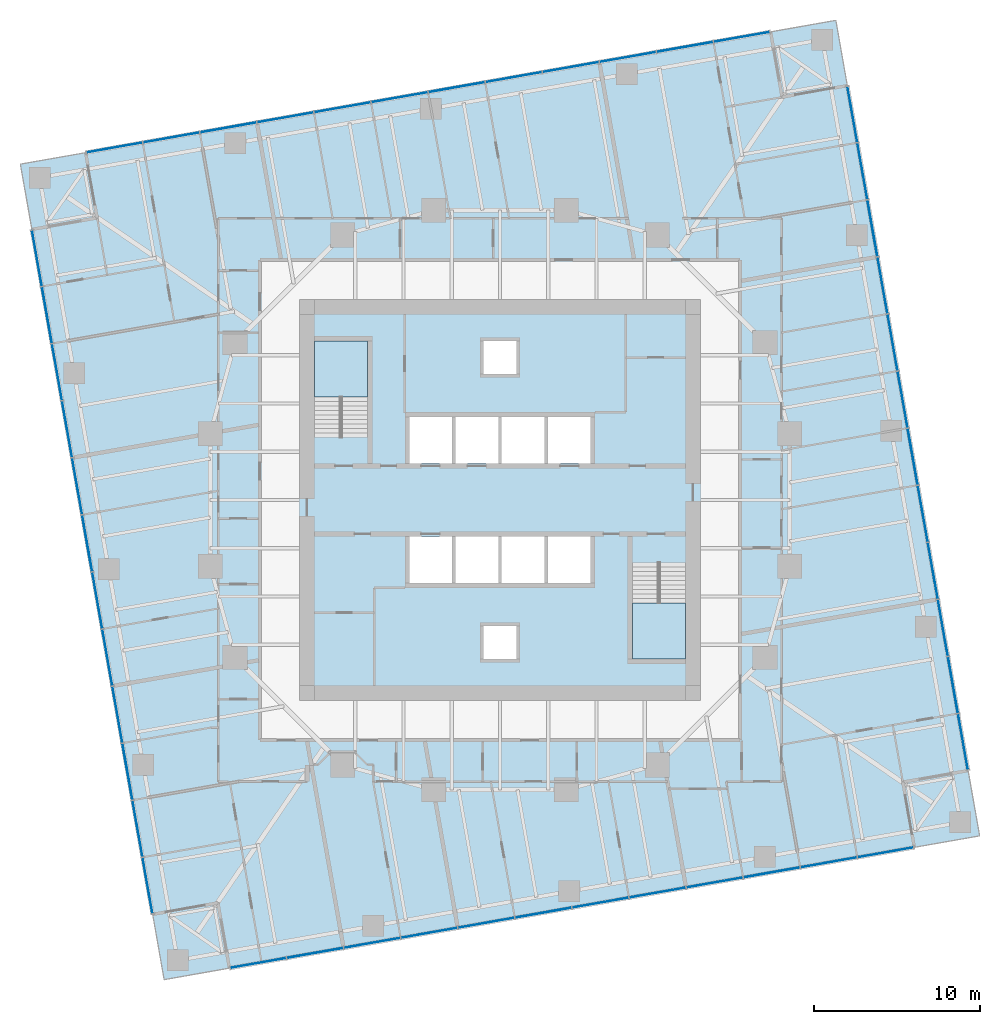
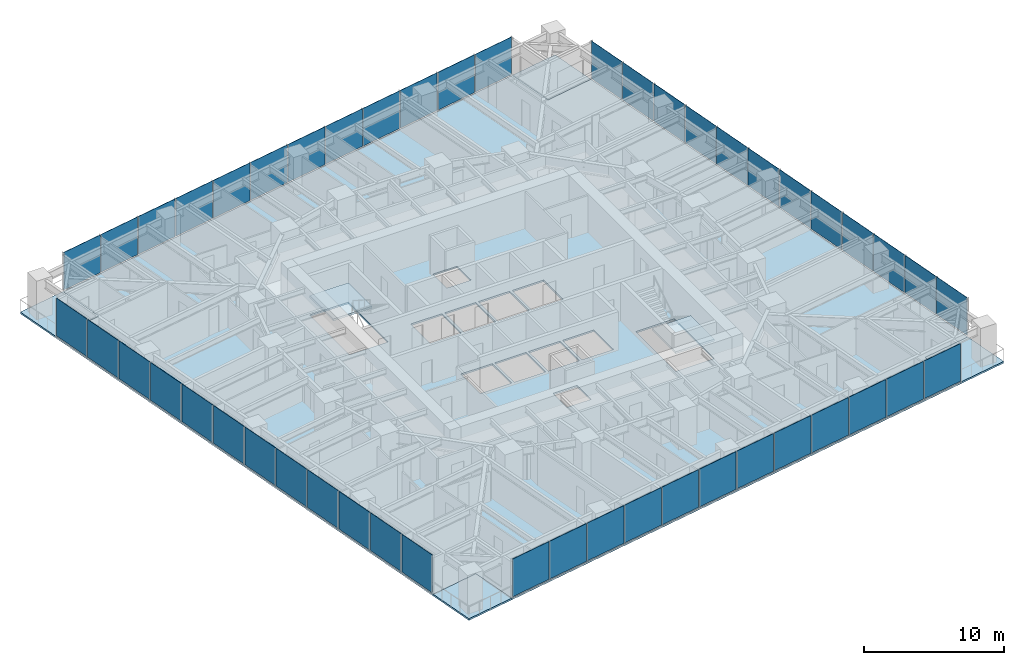
# One storey, part 7 of 14: 48 plates, 7 slabs, 6 elements without a shape of their own.
"""IFC4 building model written with IfcOpenShell, lengths in metres."""

from ifc_helpers import new_model, si_unit, direction, frame, origin, origin_2d, place, context, subcontext, project, spatial, polyline, rectangle, outline, extrude, material, layer, layer_set, type_object, element, aggregate, save


model = new_model("IFC4")

# Units and contexts
model_context = context("Model", 3, precision=1e-05, world=origin(), true_north=direction((0.0, 1.0)))
body_context = subcontext(model_context, "Body", "Model", "MODEL_VIEW")
ifc_project = project(units=[si_unit("LENGTHUNIT", "METRE"), si_unit("AREAUNIT", "SQUARE_METRE"), si_unit("VOLUMEUNIT", "CUBIC_METRE"), si_unit("PLANEANGLEUNIT", "RADIAN"), si_unit("MASSUNIT", "GRAM", prefix="KILO")], contexts=[model_context])

# Site, building, storey
site_placement = place(None, origin())
site = spatial("IfcSite", under=ifc_project, at=site_placement, CompositionType="ELEMENT")
building_placement = place(site_placement, origin())
building = spatial("IfcBuilding", under=site, at=building_placement, Name="Torsade Residences", CompositionType="ELEMENT")
storey_placement = place(building_placement, frame((0.0, 0.0, 86.199951171875)))
storey = spatial("IfcBuildingStorey", under=building, at=storey_placement, Name="L23", CompositionType="ELEMENT", Elevation=86.199951171875)

# Slab
ifc_material_1 = material(Name="Concrete 40 MPa", Category="concrete")
ifc_layer_1 = layer(ifc_material_1, 0.14990234375)
ifc_layer_set_1 = layer_set([ifc_layer_1], Name="Concrete 40 MPa")
slab_type_1 = type_object("IfcSlabType", Name="COMPOSITE FLOOR SLAB 150", PredefinedType="FLOOR", material=ifc_layer_set_1)
slab_1_placement = place(storey_placement, frame((0.0, 0.0, -0.14990234375)))
element("IfcSlab", 1, at=slab_1_placement, inside=storey, type_object=slab_type_1, Name="Floor slab L23", PredefinedType="FLOOR", context=body_context, shape_type="SweptSolid", body=[
    extrude(outline(polyline([(23.66015625, 1.733154296875), (65.022216796875, 9.0263671875), (64.32763671875, 12.965576171875), (68.266845703125, 13.66015625), (60.9736328125, 55.022216796875), (57.034423828125, 54.32763671875), (56.33984375, 58.266845703125), (14.977783203125, 50.9736328125), (15.67236328125, 47.034423828125), (11.733154296875, 46.33984375), (19.0263671875, 4.977783203125), (22.965576171875, 5.67236328125), (23.66015625, 1.733154296875)]), holes=[polyline([(51.199951171875, 20.39990234375), (51.199951171875, 26.1201171875), (48.0, 26.1201171875), (48.0, 20.39990234375), (51.199951171875, 20.39990234375)]), polyline([(45.5, 27.800048828125), (42.89990234375, 27.800048828125), (42.89990234375, 25.0), (45.5, 25.0), (45.5, 27.800048828125)]), polyline([(45.5, 32.199951171875), (45.5, 35.0), (42.89990234375, 35.0), (42.89990234375, 32.199951171875), (45.5, 32.199951171875)]), polyline([(42.699951171875, 25.0), (42.699951171875, 27.800048828125), (40.10009765625, 27.800048828125), (40.10009765625, 25.0), (42.699951171875, 25.0)]), polyline([(42.699951171875, 32.199951171875), (42.699951171875, 35.0), (40.10009765625, 35.0), (40.10009765625, 32.199951171875), (42.699951171875, 32.199951171875)]), polyline([(41.0, 22.39990234375), (39.0, 22.39990234375), (39.0, 20.39990234375), (41.0, 20.39990234375), (41.0, 22.39990234375)]), polyline([(41.0, 37.60009765625), (41.0, 39.60009765625), (39.0, 39.60009765625), (39.0, 37.60009765625), (41.0, 37.60009765625)]), polyline([(39.89990234375, 25.0), (39.89990234375, 27.800048828125), (37.300048828125, 27.800048828125), (37.300048828125, 25.0), (39.89990234375, 25.0)]), polyline([(39.89990234375, 35.0), (37.300048828125, 35.0), (37.300048828125, 32.199951171875), (39.89990234375, 32.199951171875), (39.89990234375, 35.0)]), polyline([(37.10009765625, 27.800048828125), (34.5, 27.800048828125), (34.5, 25.0), (37.10009765625, 25.0), (37.10009765625, 27.800048828125)]), polyline([(37.10009765625, 32.199951171875), (37.10009765625, 35.0), (34.5, 35.0), (34.5, 32.199951171875), (37.10009765625, 32.199951171875)]), polyline([(32.0, 33.8798828125), (32.0, 39.60009765625), (28.800048828125, 39.60009765625), (28.800048828125, 33.8798828125), (32.0, 33.8798828125)])]), origin(), (0.0, 0.0, 1.0), 0.14990234375),
])

# Curtain wall, plates
ifc_material_2 = material(Name="Aluminium and glass", Category="aluminium")
curtain_wall_type = type_object("IfcCurtainWallType", Name="FRITTED GLASS CURTAIN WALL LOW ZONE", PredefinedType="NOTDEFINED", material=ifc_material_2)
curtain_wall_1_placement = place(storey_placement, origin())
curtain_wall_1 = element("IfcCurtainWall", 2, at=curtain_wall_1_placement, inside=storey, type_object=curtain_wall_type, Name="Curtain wall L23 face 1", PredefinedType="NOTDEFINED")
ifc_material_3 = material(Name="Laminated glass", Category="glass")
ifc_layer_2 = layer(ifc_material_3, 0.031982421875)
ifc_layer_set_2 = layer_set([ifc_layer_2], Name="Laminated glass")
plate_type_1 = type_object("IfcPlateType", Name="FRITTED GLASS PANEL", PredefinedType="CURTAIN_PANEL", material=ifc_layer_set_2)
plate_1_placement = place(storey_placement, frame((25.399658203125, 2.039794921875, 0.10009765625), z_axis=(0.0, 0.0, 1.0), x_axis=(0.984807750372, 0.173648192638, 0.0)))
plate_1 = element("IfcPlate", 3, at=plate_1_placement, type_object=plate_type_1, Name="Panel 1", PredefinedType="CURTAIN_PANEL", context=body_context, shape_type="SweptSolid", body=[
    extrude(rectangle(XDim=3.402587890625, YDim=0.031982421875, at=origin_2d()), origin(), (0.0, 0.0, 1.0), 3.300048828125),
])
plate_2_placement = place(storey_placement, frame((32.27734375, 3.252685546875, 0.10009765625), z_axis=(0.0, 0.0, 1.0), x_axis=(0.984807750372, 0.173648192638, 0.0)))
plate_2 = element("IfcPlate", 4, at=plate_2_placement, type_object=plate_type_1, Name="Panel 3", PredefinedType="CURTAIN_PANEL", context=body_context, shape_type="SweptSolid", body=[
    extrude(rectangle(XDim=3.43505859375, YDim=0.031982421875, at=origin_2d()), origin(), (0.0, 0.0, 1.0), 3.300048828125),
])
plate_3_placement = place(storey_placement, frame((35.72412109375, 3.8603515625, 0.10009765625), z_axis=(0.0, 0.0, 1.0), x_axis=(0.984807750372, 0.173648192638, 0.0)))
plate_3 = element("IfcPlate", 5, at=plate_3_placement, type_object=plate_type_1, Name="Panel 4", PredefinedType="CURTAIN_PANEL", context=body_context, shape_type="SweptSolid", body=[
    extrude(rectangle(XDim=3.43505859375, YDim=0.031982421875, at=origin_2d()), origin(), (0.0, 0.0, 1.0), 3.300048828125),
])
plate_4_placement = place(storey_placement, frame((39.1708984375, 4.46826171875, 0.10009765625), z_axis=(0.0, 0.0, 1.0), x_axis=(0.984807750372, 0.173648192638, 0.0)))
plate_4 = element("IfcPlate", 6, at=plate_4_placement, type_object=plate_type_1, Name="Panel 5", PredefinedType="CURTAIN_PANEL", context=body_context, shape_type="SweptSolid", body=[
    extrude(rectangle(XDim=3.43505859375, YDim=0.031982421875, at=origin_2d()), origin(), (0.0, 0.0, 1.0), 3.300048828125),
])
plate_5_placement = place(storey_placement, frame((46.064697265625, 5.68359375, 0.10009765625), z_axis=(0.0, 0.0, 1.0), x_axis=(0.984807750372, 0.173648192638, 0.0)))
plate_5 = element("IfcPlate", 7, at=plate_5_placement, type_object=plate_type_1, Name="Panel 7", PredefinedType="CURTAIN_PANEL", context=body_context, shape_type="SweptSolid", body=[
    extrude(rectangle(XDim=3.43505859375, YDim=0.031982421875, at=origin_2d()), origin(), (0.0, 0.0, 1.0), 3.300048828125),
])
plate_6_placement = place(storey_placement, frame((49.511474609375, 6.29150390625, 0.10009765625), z_axis=(0.0, 0.0, 1.0), x_axis=(0.984807750372, 0.173648192638, 0.0)))
plate_6 = element("IfcPlate", 8, at=plate_6_placement, type_object=plate_type_1, Name="Panel 8", PredefinedType="CURTAIN_PANEL", context=body_context, shape_type="SweptSolid", body=[
    extrude(rectangle(XDim=3.43505859375, YDim=0.031982421875, at=origin_2d()), origin(), (0.0, 0.0, 1.0), 3.300048828125),
])
plate_7_placement = place(storey_placement, frame((52.958251953125, 6.899169921875, 0.10009765625), z_axis=(0.0, 0.0, 1.0), x_axis=(0.984807750372, 0.173648192638, 0.0)))
plate_7 = element("IfcPlate", 9, at=plate_7_placement, type_object=plate_type_1, Name="Panel 9", PredefinedType="CURTAIN_PANEL", context=body_context, shape_type="SweptSolid", body=[
    extrude(rectangle(XDim=3.43505859375, YDim=0.031982421875, at=origin_2d()), origin(), (0.0, 0.0, 1.0), 3.300048828125),
])
plate_8_placement = place(storey_placement, frame((59.851806640625, 8.11474609375, 0.10009765625), z_axis=(0.0, 0.0, 1.0), x_axis=(0.984807750372, 0.173648192638, 0.0)))
plate_8 = element("IfcPlate", 10, at=plate_8_placement, type_object=plate_type_1, Name="Panel 11", PredefinedType="CURTAIN_PANEL", context=body_context, shape_type="SweptSolid", body=[
    extrude(rectangle(XDim=3.43505859375, YDim=0.031982421875, at=origin_2d()), origin(), (0.0, 0.0, 1.0), 3.300048828125),
])
plate_9_placement = place(storey_placement, frame((63.28271484375, 8.7197265625, 0.10009765625), z_axis=(0.0, 0.0, 1.0), x_axis=(0.984807750372, 0.173648192638, 0.0)))
plate_9 = element("IfcPlate", 11, at=plate_9_placement, type_object=plate_type_1, Name="Panel 12", PredefinedType="CURTAIN_PANEL", context=body_context, shape_type="SweptSolid", body=[
    extrude(rectangle(XDim=3.402587890625, YDim=0.031982421875, at=origin_2d()), origin(), (0.0, 0.0, 1.0), 3.300048828125),
])

curtain_wall_2_placement = place(storey_placement, origin())
curtain_wall_2 = element("IfcCurtainWall", 12, at=curtain_wall_2_placement, inside=storey, type_object=curtain_wall_type, Name="Curtain wall L23 face 4", PredefinedType="NOTDEFINED")
plate_10_placement = place(storey_placement, frame((67.960205078125, 15.399658203125, 0.10009765625), z_axis=(0.0, 0.0, 1.0), x_axis=(-0.173648192638, 0.984807750372, 0.0)))
plate_10 = element("IfcPlate", 13, at=plate_10_placement, type_object=plate_type_1, Name="Panel 1", PredefinedType="CURTAIN_PANEL", context=body_context, shape_type="SweptSolid", body=[
    extrude(rectangle(XDim=3.402587890625, YDim=0.031982421875, at=origin_2d()), origin(), (0.0, 0.0, 1.0), 3.300048828125),
])
plate_11_placement = place(storey_placement, frame((66.747314453125, 22.27734375, 0.10009765625), z_axis=(0.0, 0.0, 1.0), x_axis=(-0.173648192638, 0.984807750372, 0.0)))
plate_11 = element("IfcPlate", 14, at=plate_11_placement, type_object=plate_type_1, Name="Panel 3", PredefinedType="CURTAIN_PANEL", context=body_context, shape_type="SweptSolid", body=[
    extrude(rectangle(XDim=3.43505859375, YDim=0.031982421875, at=origin_2d()), origin(), (0.0, 0.0, 1.0), 3.300048828125),
])
plate_12_placement = place(storey_placement, frame((66.1396484375, 25.72412109375, 0.10009765625), z_axis=(0.0, 0.0, 1.0), x_axis=(-0.173648192638, 0.984807750372, 0.0)))
plate_12 = element("IfcPlate", 15, at=plate_12_placement, type_object=plate_type_1, Name="Panel 4", PredefinedType="CURTAIN_PANEL", context=body_context, shape_type="SweptSolid", body=[
    extrude(rectangle(XDim=3.43505859375, YDim=0.031982421875, at=origin_2d()), origin(), (0.0, 0.0, 1.0), 3.300048828125),
])
plate_13_placement = place(storey_placement, frame((65.53173828125, 29.1708984375, 0.10009765625), z_axis=(0.0, 0.0, 1.0), x_axis=(-0.173648192638, 0.984807750372, 0.0)))
plate_13 = element("IfcPlate", 16, at=plate_13_placement, type_object=plate_type_1, Name="Panel 5", PredefinedType="CURTAIN_PANEL", context=body_context, shape_type="SweptSolid", body=[
    extrude(rectangle(XDim=3.43505859375, YDim=0.031982421875, at=origin_2d()), origin(), (0.0, 0.0, 1.0), 3.300048828125),
])
plate_14_placement = place(storey_placement, frame((64.31640625, 36.064697265625, 0.10009765625), z_axis=(0.0, 0.0, 1.0), x_axis=(-0.173648192638, 0.984807750372, 0.0)))
plate_14 = element("IfcPlate", 17, at=plate_14_placement, type_object=plate_type_1, Name="Panel 7", PredefinedType="CURTAIN_PANEL", context=body_context, shape_type="SweptSolid", body=[
    extrude(rectangle(XDim=3.43505859375, YDim=0.031982421875, at=origin_2d()), origin(), (0.0, 0.0, 1.0), 3.300048828125),
])
plate_15_placement = place(storey_placement, frame((63.70849609375, 39.511474609375, 0.10009765625), z_axis=(0.0, 0.0, 1.0), x_axis=(-0.173648192638, 0.984807750372, 0.0)))
plate_15 = element("IfcPlate", 18, at=plate_15_placement, type_object=plate_type_1, Name="Panel 8", PredefinedType="CURTAIN_PANEL", context=body_context, shape_type="SweptSolid", body=[
    extrude(rectangle(XDim=3.43505859375, YDim=0.031982421875, at=origin_2d()), origin(), (0.0, 0.0, 1.0), 3.300048828125),
])
plate_16_placement = place(storey_placement, frame((63.100830078125, 42.958251953125, 0.10009765625), z_axis=(0.0, 0.0, 1.0), x_axis=(-0.173648192638, 0.984807750372, 0.0)))
plate_16 = element("IfcPlate", 19, at=plate_16_placement, type_object=plate_type_1, Name="Panel 9", PredefinedType="CURTAIN_PANEL", context=body_context, shape_type="SweptSolid", body=[
    extrude(rectangle(XDim=3.43505859375, YDim=0.031982421875, at=origin_2d()), origin(), (0.0, 0.0, 1.0), 3.300048828125),
])
plate_17_placement = place(storey_placement, frame((61.88525390625, 49.851806640625, 0.10009765625), z_axis=(0.0, 0.0, 1.0), x_axis=(-0.173648192638, 0.984807750372, 0.0)))
plate_17 = element("IfcPlate", 20, at=plate_17_placement, type_object=plate_type_1, Name="Panel 11", PredefinedType="CURTAIN_PANEL", context=body_context, shape_type="SweptSolid", body=[
    extrude(rectangle(XDim=3.43505859375, YDim=0.031982421875, at=origin_2d()), origin(), (0.0, 0.0, 1.0), 3.300048828125),
])
plate_18_placement = place(storey_placement, frame((61.2802734375, 53.28271484375, 0.10009765625), z_axis=(0.0, 0.0, 1.0), x_axis=(-0.173648192638, 0.984807750372, 0.0)))
plate_18 = element("IfcPlate", 21, at=plate_18_placement, type_object=plate_type_1, Name="Panel 12", PredefinedType="CURTAIN_PANEL", context=body_context, shape_type="SweptSolid", body=[
    extrude(rectangle(XDim=3.402587890625, YDim=0.031982421875, at=origin_2d()), origin(), (0.0, 0.0, 1.0), 3.300048828125),
])

curtain_wall_3_placement = place(storey_placement, origin())
curtain_wall_3 = element("IfcCurtainWall", 22, at=curtain_wall_3_placement, inside=storey, type_object=curtain_wall_type, Name="Curtain wall L23 face 7", PredefinedType="NOTDEFINED")
plate_19_placement = place(storey_placement, frame((54.600341796875, 57.960205078125, 0.10009765625), z_axis=(0.0, 0.0, 1.0), x_axis=(-0.984807750372, -0.173648192638, 0.0)))
plate_19 = element("IfcPlate", 23, at=plate_19_placement, type_object=plate_type_1, Name="Panel 1", PredefinedType="CURTAIN_PANEL", context=body_context, shape_type="SweptSolid", body=[
    extrude(rectangle(XDim=3.402587890625, YDim=0.031982421875, at=origin_2d()), origin(), (0.0, 0.0, 1.0), 3.300048828125),
])
plate_20_placement = place(storey_placement, frame((47.72265625, 56.747314453125, 0.10009765625), z_axis=(0.0, 0.0, 1.0), x_axis=(-0.984807750372, -0.173648192638, 0.0)))
plate_20 = element("IfcPlate", 24, at=plate_20_placement, type_object=plate_type_1, Name="Panel 3", PredefinedType="CURTAIN_PANEL", context=body_context, shape_type="SweptSolid", body=[
    extrude(rectangle(XDim=3.43505859375, YDim=0.031982421875, at=origin_2d()), origin(), (0.0, 0.0, 1.0), 3.300048828125),
])
plate_21_placement = place(storey_placement, frame((44.27587890625, 56.1396484375, 0.10009765625), z_axis=(0.0, 0.0, 1.0), x_axis=(-0.984807750372, -0.173648192638, 0.0)))
plate_21 = element("IfcPlate", 25, at=plate_21_placement, type_object=plate_type_1, Name="Panel 4", PredefinedType="CURTAIN_PANEL", context=body_context, shape_type="SweptSolid", body=[
    extrude(rectangle(XDim=3.43505859375, YDim=0.031982421875, at=origin_2d()), origin(), (0.0, 0.0, 1.0), 3.300048828125),
])
plate_22_placement = place(storey_placement, frame((40.8291015625, 55.53173828125, 0.10009765625), z_axis=(0.0, 0.0, 1.0), x_axis=(-0.984807750372, -0.173648192638, 0.0)))
plate_22 = element("IfcPlate", 26, at=plate_22_placement, type_object=plate_type_1, Name="Panel 5", PredefinedType="CURTAIN_PANEL", context=body_context, shape_type="SweptSolid", body=[
    extrude(rectangle(XDim=3.43505859375, YDim=0.031982421875, at=origin_2d()), origin(), (0.0, 0.0, 1.0), 3.300048828125),
])
plate_23_placement = place(storey_placement, frame((33.935302734375, 54.31640625, 0.10009765625), z_axis=(0.0, 0.0, 1.0), x_axis=(-0.984807750372, -0.173648192638, 0.0)))
plate_23 = element("IfcPlate", 27, at=plate_23_placement, type_object=plate_type_1, Name="Panel 7", PredefinedType="CURTAIN_PANEL", context=body_context, shape_type="SweptSolid", body=[
    extrude(rectangle(XDim=3.43505859375, YDim=0.031982421875, at=origin_2d()), origin(), (0.0, 0.0, 1.0), 3.300048828125),
])
plate_24_placement = place(storey_placement, frame((30.488525390625, 53.70849609375, 0.10009765625), z_axis=(0.0, 0.0, 1.0), x_axis=(-0.984807750372, -0.173648192638, 0.0)))
plate_24 = element("IfcPlate", 28, at=plate_24_placement, type_object=plate_type_1, Name="Panel 8", PredefinedType="CURTAIN_PANEL", context=body_context, shape_type="SweptSolid", body=[
    extrude(rectangle(XDim=3.43505859375, YDim=0.031982421875, at=origin_2d()), origin(), (0.0, 0.0, 1.0), 3.300048828125),
])
plate_25_placement = place(storey_placement, frame((27.041748046875, 53.100830078125, 0.10009765625), z_axis=(0.0, 0.0, 1.0), x_axis=(-0.984807750372, -0.173648192638, 0.0)))
plate_25 = element("IfcPlate", 29, at=plate_25_placement, type_object=plate_type_1, Name="Panel 9", PredefinedType="CURTAIN_PANEL", context=body_context, shape_type="SweptSolid", body=[
    extrude(rectangle(XDim=3.43505859375, YDim=0.031982421875, at=origin_2d()), origin(), (0.0, 0.0, 1.0), 3.300048828125),
])
plate_26_placement = place(storey_placement, frame((20.148193359375, 51.88525390625, 0.10009765625), z_axis=(0.0, 0.0, 1.0), x_axis=(-0.984807750372, -0.173648192638, 0.0)))
plate_26 = element("IfcPlate", 30, at=plate_26_placement, type_object=plate_type_1, Name="Panel 11", PredefinedType="CURTAIN_PANEL", context=body_context, shape_type="SweptSolid", body=[
    extrude(rectangle(XDim=3.43505859375, YDim=0.031982421875, at=origin_2d()), origin(), (0.0, 0.0, 1.0), 3.300048828125),
])
plate_27_placement = place(storey_placement, frame((16.71728515625, 51.2802734375, 0.10009765625), z_axis=(0.0, 0.0, 1.0), x_axis=(-0.984807750372, -0.173648192638, 0.0)))
plate_27 = element("IfcPlate", 31, at=plate_27_placement, type_object=plate_type_1, Name="Panel 12", PredefinedType="CURTAIN_PANEL", context=body_context, shape_type="SweptSolid", body=[
    extrude(rectangle(XDim=3.402587890625, YDim=0.031982421875, at=origin_2d()), origin(), (0.0, 0.0, 1.0), 3.300048828125),
])

curtain_wall_4_placement = place(storey_placement, origin())
curtain_wall_4 = element("IfcCurtainWall", 32, at=curtain_wall_4_placement, inside=storey, type_object=curtain_wall_type, Name="Curtain wall L23 face 10", PredefinedType="NOTDEFINED")
plate_28_placement = place(storey_placement, frame((12.039794921875, 44.600341796875, 0.10009765625), z_axis=(0.0, 0.0, 1.0), x_axis=(0.173648192638, -0.984807750372, 0.0)))
plate_28 = element("IfcPlate", 33, at=plate_28_placement, type_object=plate_type_1, Name="Panel 1", PredefinedType="CURTAIN_PANEL", context=body_context, shape_type="SweptSolid", body=[
    extrude(rectangle(XDim=3.402587890625, YDim=0.031982421875, at=origin_2d()), origin(), (0.0, 0.0, 1.0), 3.300048828125),
])
plate_29_placement = place(storey_placement, frame((13.252685546875, 37.72265625, 0.10009765625), z_axis=(0.0, 0.0, 1.0), x_axis=(0.173648192638, -0.984807750372, 0.0)))
plate_29 = element("IfcPlate", 34, at=plate_29_placement, type_object=plate_type_1, Name="Panel 3", PredefinedType="CURTAIN_PANEL", context=body_context, shape_type="SweptSolid", body=[
    extrude(rectangle(XDim=3.43505859375, YDim=0.031982421875, at=origin_2d()), origin(), (0.0, 0.0, 1.0), 3.300048828125),
])
plate_30_placement = place(storey_placement, frame((13.8603515625, 34.27587890625, 0.10009765625), z_axis=(0.0, 0.0, 1.0), x_axis=(0.173648192638, -0.984807750372, 0.0)))
plate_30 = element("IfcPlate", 35, at=plate_30_placement, type_object=plate_type_1, Name="Panel 4", PredefinedType="CURTAIN_PANEL", context=body_context, shape_type="SweptSolid", body=[
    extrude(rectangle(XDim=3.43505859375, YDim=0.031982421875, at=origin_2d()), origin(), (0.0, 0.0, 1.0), 3.300048828125),
])
plate_31_placement = place(storey_placement, frame((14.46826171875, 30.8291015625, 0.10009765625), z_axis=(0.0, 0.0, 1.0), x_axis=(0.173648192638, -0.984807750372, 0.0)))
plate_31 = element("IfcPlate", 36, at=plate_31_placement, type_object=plate_type_1, Name="Panel 5", PredefinedType="CURTAIN_PANEL", context=body_context, shape_type="SweptSolid", body=[
    extrude(rectangle(XDim=3.43505859375, YDim=0.031982421875, at=origin_2d()), origin(), (0.0, 0.0, 1.0), 3.300048828125),
])
plate_32_placement = place(storey_placement, frame((15.68359375, 23.935302734375, 0.10009765625), z_axis=(0.0, 0.0, 1.0), x_axis=(0.173648192638, -0.984807750372, 0.0)))
plate_32 = element("IfcPlate", 37, at=plate_32_placement, type_object=plate_type_1, Name="Panel 7", PredefinedType="CURTAIN_PANEL", context=body_context, shape_type="SweptSolid", body=[
    extrude(rectangle(XDim=3.43505859375, YDim=0.031982421875, at=origin_2d()), origin(), (0.0, 0.0, 1.0), 3.300048828125),
])
plate_33_placement = place(storey_placement, frame((16.29150390625, 20.488525390625, 0.10009765625), z_axis=(0.0, 0.0, 1.0), x_axis=(0.173648192638, -0.984807750372, 0.0)))
plate_33 = element("IfcPlate", 38, at=plate_33_placement, type_object=plate_type_1, Name="Panel 8", PredefinedType="CURTAIN_PANEL", context=body_context, shape_type="SweptSolid", body=[
    extrude(rectangle(XDim=3.43505859375, YDim=0.031982421875, at=origin_2d()), origin(), (0.0, 0.0, 1.0), 3.300048828125),
])
plate_34_placement = place(storey_placement, frame((16.899169921875, 17.041748046875, 0.10009765625), z_axis=(0.0, 0.0, 1.0), x_axis=(0.173648192638, -0.984807750372, 0.0)))
plate_34 = element("IfcPlate", 39, at=plate_34_placement, type_object=plate_type_1, Name="Panel 9", PredefinedType="CURTAIN_PANEL", context=body_context, shape_type="SweptSolid", body=[
    extrude(rectangle(XDim=3.43505859375, YDim=0.031982421875, at=origin_2d()), origin(), (0.0, 0.0, 1.0), 3.300048828125),
])
plate_35_placement = place(storey_placement, frame((18.11474609375, 10.148193359375, 0.10009765625), z_axis=(0.0, 0.0, 1.0), x_axis=(0.173648192638, -0.984807750372, 0.0)))
plate_35 = element("IfcPlate", 40, at=plate_35_placement, type_object=plate_type_1, Name="Panel 11", PredefinedType="CURTAIN_PANEL", context=body_context, shape_type="SweptSolid", body=[
    extrude(rectangle(XDim=3.43505859375, YDim=0.031982421875, at=origin_2d()), origin(), (0.0, 0.0, 1.0), 3.300048828125),
])
plate_36_placement = place(storey_placement, frame((18.7197265625, 6.71728515625, 0.10009765625), z_axis=(0.0, 0.0, 1.0), x_axis=(0.173648192638, -0.984807750372, 0.0)))
plate_36 = element("IfcPlate", 41, at=plate_36_placement, type_object=plate_type_1, Name="Panel 12", PredefinedType="CURTAIN_PANEL", context=body_context, shape_type="SweptSolid", body=[
    extrude(rectangle(XDim=3.402587890625, YDim=0.031982421875, at=origin_2d()), origin(), (0.0, 0.0, 1.0), 3.300048828125),
])

# Plate
ifc_material_4 = material(Name="Laminated glass", Category="glass")
ifc_layer_3 = layer(ifc_material_4, 0.0400390625)
ifc_layer_set_3 = layer_set([ifc_layer_3], Name="Laminated glass")
plate_type_2 = type_object("IfcPlateType", Name="OPERABLE VENT PANEL", PredefinedType="CURTAIN_PANEL", material=ifc_layer_set_3)
plate_37_placement = place(storey_placement, frame((28.83056640625, 2.644775390625, 0.10009765625), z_axis=(0.0, 0.0, 1.0), x_axis=(0.984807750372, 0.173648192638, 0.0)))
plate_37 = element("IfcPlate", 42, at=plate_37_placement, type_object=plate_type_2, Name="Panel 2", PredefinedType="CURTAIN_PANEL", context=body_context, shape_type="SweptSolid", body=[
    extrude(rectangle(XDim=3.43505859375, YDim=0.0400390625, at=origin_2d()), origin(), (0.0, 0.0, 1.0), 3.300048828125),
])

plate_38_placement = place(storey_placement, frame((42.61767578125, 5.075927734375, 0.10009765625), z_axis=(0.0, 0.0, 1.0), x_axis=(0.984807750372, 0.173648192638, 0.0)))
plate_38 = element("IfcPlate", 43, at=plate_38_placement, type_object=plate_type_2, Name="Panel 6", PredefinedType="CURTAIN_PANEL", context=body_context, shape_type="SweptSolid", body=[
    extrude(rectangle(XDim=3.43505859375, YDim=0.0400390625, at=origin_2d()), origin(), (0.0, 0.0, 1.0), 3.300048828125),
])

plate_39_placement = place(storey_placement, frame((56.405029296875, 7.507080078125, 0.10009765625), z_axis=(0.0, 0.0, 1.0), x_axis=(0.984807750372, 0.173648192638, 0.0)))
plate_39 = element("IfcPlate", 44, at=plate_39_placement, type_object=plate_type_2, Name="Panel 10", PredefinedType="CURTAIN_PANEL", context=body_context, shape_type="SweptSolid", body=[
    extrude(rectangle(XDim=3.43505859375, YDim=0.0400390625, at=origin_2d()), origin(), (0.0, 0.0, 1.0), 3.300048828125),
])

aggregate(curtain_wall_1, [plate_1, plate_37, plate_2, plate_3, plate_4, plate_38, plate_5, plate_6, plate_7, plate_39, plate_8, plate_9])

plate_40_placement = place(storey_placement, frame((67.355224609375, 18.83056640625, 0.10009765625), z_axis=(0.0, 0.0, 1.0), x_axis=(-0.173648192638, 0.984807750372, 0.0)))
plate_40 = element("IfcPlate", 45, at=plate_40_placement, type_object=plate_type_2, Name="Panel 2", PredefinedType="CURTAIN_PANEL", context=body_context, shape_type="SweptSolid", body=[
    extrude(rectangle(XDim=3.43505859375, YDim=0.0400390625, at=origin_2d()), origin(), (0.0, 0.0, 1.0), 3.300048828125),
])

plate_41_placement = place(storey_placement, frame((64.924072265625, 32.61767578125, 0.10009765625), z_axis=(0.0, 0.0, 1.0), x_axis=(-0.173648192638, 0.984807750372, 0.0)))
plate_41 = element("IfcPlate", 46, at=plate_41_placement, type_object=plate_type_2, Name="Panel 6", PredefinedType="CURTAIN_PANEL", context=body_context, shape_type="SweptSolid", body=[
    extrude(rectangle(XDim=3.43505859375, YDim=0.0400390625, at=origin_2d()), origin(), (0.0, 0.0, 1.0), 3.300048828125),
])

plate_42_placement = place(storey_placement, frame((62.492919921875, 46.405029296875, 0.10009765625), z_axis=(0.0, 0.0, 1.0), x_axis=(-0.173648192638, 0.984807750372, 0.0)))
plate_42 = element("IfcPlate", 47, at=plate_42_placement, type_object=plate_type_2, Name="Panel 10", PredefinedType="CURTAIN_PANEL", context=body_context, shape_type="SweptSolid", body=[
    extrude(rectangle(XDim=3.43505859375, YDim=0.0400390625, at=origin_2d()), origin(), (0.0, 0.0, 1.0), 3.300048828125),
])

aggregate(curtain_wall_2, [plate_10, plate_40, plate_11, plate_12, plate_13, plate_41, plate_14, plate_15, plate_16, plate_42, plate_17, plate_18])

plate_43_placement = place(storey_placement, frame((51.16943359375, 57.355224609375, 0.10009765625), z_axis=(0.0, 0.0, 1.0), x_axis=(-0.984807750372, -0.173648192638, 0.0)))
plate_43 = element("IfcPlate", 48, at=plate_43_placement, type_object=plate_type_2, Name="Panel 2", PredefinedType="CURTAIN_PANEL", context=body_context, shape_type="SweptSolid", body=[
    extrude(rectangle(XDim=3.43505859375, YDim=0.0400390625, at=origin_2d()), origin(), (0.0, 0.0, 1.0), 3.300048828125),
])

plate_44_placement = place(storey_placement, frame((37.38232421875, 54.924072265625, 0.10009765625), z_axis=(0.0, 0.0, 1.0), x_axis=(-0.984807750372, -0.173648192638, 0.0)))
plate_44 = element("IfcPlate", 49, at=plate_44_placement, type_object=plate_type_2, Name="Panel 6", PredefinedType="CURTAIN_PANEL", context=body_context, shape_type="SweptSolid", body=[
    extrude(rectangle(XDim=3.43505859375, YDim=0.0400390625, at=origin_2d()), origin(), (0.0, 0.0, 1.0), 3.300048828125),
])

plate_45_placement = place(storey_placement, frame((23.594970703125, 52.492919921875, 0.10009765625), z_axis=(0.0, 0.0, 1.0), x_axis=(-0.984807750372, -0.173648192638, 0.0)))
plate_45 = element("IfcPlate", 50, at=plate_45_placement, type_object=plate_type_2, Name="Panel 10", PredefinedType="CURTAIN_PANEL", context=body_context, shape_type="SweptSolid", body=[
    extrude(rectangle(XDim=3.43505859375, YDim=0.0400390625, at=origin_2d()), origin(), (0.0, 0.0, 1.0), 3.300048828125),
])

aggregate(curtain_wall_3, [plate_19, plate_43, plate_20, plate_21, plate_22, plate_44, plate_23, plate_24, plate_25, plate_45, plate_26, plate_27])

plate_46_placement = place(storey_placement, frame((12.644775390625, 41.16943359375, 0.10009765625), z_axis=(0.0, 0.0, 1.0), x_axis=(0.173648192638, -0.984807750372, 0.0)))
plate_46 = element("IfcPlate", 51, at=plate_46_placement, type_object=plate_type_2, Name="Panel 2", PredefinedType="CURTAIN_PANEL", context=body_context, shape_type="SweptSolid", body=[
    extrude(rectangle(XDim=3.43505859375, YDim=0.0400390625, at=origin_2d()), origin(), (0.0, 0.0, 1.0), 3.300048828125),
])

plate_47_placement = place(storey_placement, frame((15.075927734375, 27.38232421875, 0.10009765625), z_axis=(0.0, 0.0, 1.0), x_axis=(0.173648192638, -0.984807750372, 0.0)))
plate_47 = element("IfcPlate", 52, at=plate_47_placement, type_object=plate_type_2, Name="Panel 6", PredefinedType="CURTAIN_PANEL", context=body_context, shape_type="SweptSolid", body=[
    extrude(rectangle(XDim=3.43505859375, YDim=0.0400390625, at=origin_2d()), origin(), (0.0, 0.0, 1.0), 3.300048828125),
])

plate_48_placement = place(storey_placement, frame((17.507080078125, 13.594970703125, 0.10009765625), z_axis=(0.0, 0.0, 1.0), x_axis=(0.173648192638, -0.984807750372, 0.0)))
plate_48 = element("IfcPlate", 53, at=plate_48_placement, type_object=plate_type_2, Name="Panel 10", PredefinedType="CURTAIN_PANEL", context=body_context, shape_type="SweptSolid", body=[
    extrude(rectangle(XDim=3.43505859375, YDim=0.0400390625, at=origin_2d()), origin(), (0.0, 0.0, 1.0), 3.300048828125),
])

aggregate(curtain_wall_4, [plate_28, plate_46, plate_29, plate_30, plate_31, plate_47, plate_32, plate_33, plate_34, plate_48, plate_35, plate_36])

# Stair, slab
ifc_material_5 = material(Name="Precast concrete 40 MPa", Category="concrete")
stair_type = type_object("IfcStairType", Name="HALF-TURN FIRE STAIR 1500x3400", PredefinedType="HALF_TURN_STAIR", material=ifc_material_5)
stair_1_placement = place(storey_placement, origin())
stair_1 = element("IfcStair", 54, at=stair_1_placement, inside=storey, type_object=stair_type, Name="Stair ST1 L23", PredefinedType="HALF_TURN_STAIR")
ifc_material_6 = material(Name="Precast concrete 40 MPa", Category="concrete")
ifc_layer_4 = layer(ifc_material_6, 0.179931640625)
ifc_layer_set_4 = layer_set([ifc_layer_4], Name="Precast concrete 40 MPa")
slab_type_2 = type_object("IfcSlabType", Name="PRECAST STAIR LANDING 180", PredefinedType="LANDING", material=ifc_layer_set_4)
slab_2_placement = place(storey_placement, frame((0.0, 0.0, 1.52001953125)))
slab_2 = element("IfcSlab", 55, at=slab_2_placement, type_object=slab_type_2, Name="ST1 landing 1", PredefinedType="LANDING", context=body_context, shape_type="SweptSolid", body=[
    extrude(outline(polyline([(28.800048828125, 36.2099609375), (32.0, 36.2099609375), (32.0, 39.60009765625), (28.800048828125, 39.60009765625), (28.800048828125, 36.2099609375)])), origin(), (0.0, 0.0, 1.0), 0.179931640625),
])
aggregate(stair_1, [slab_2])

stair_2_placement = place(storey_placement, origin())
stair_2 = element("IfcStair", 56, at=stair_2_placement, inside=storey, type_object=stair_type, Name="Stair ST2 L23", PredefinedType="HALF_TURN_STAIR")
slab_3_placement = place(storey_placement, frame((0.0, 0.0, 1.52001953125)))
slab_3 = element("IfcSlab", 57, at=slab_3_placement, type_object=slab_type_2, Name="ST2 landing 1", PredefinedType="LANDING", context=body_context, shape_type="SweptSolid", body=[
    extrude(outline(polyline([(48.0, 20.39990234375), (51.199951171875, 20.39990234375), (51.199951171875, 23.7900390625), (48.0, 23.7900390625), (48.0, 20.39990234375)])), origin(), (0.0, 0.0, 1.0), 0.179931640625),
])
aggregate(stair_2, [slab_3])

# Slabs
ifc_material_7 = material(Name="Concrete 40 MPa", Category="concrete")
ifc_layer_5 = layer(ifc_material_7, 0.14990234375)
ifc_layer_set_5 = layer_set([ifc_layer_5], Name="Concrete 40 MPa")
slab_type_3 = type_object("IfcSlabType", Name="TERRACE SLAB 150", PredefinedType="FLOOR", material=ifc_layer_set_5)
slab_4_placement = place(storey_placement, frame((0.0, 0.0, -0.14990234375)))
element("IfcSlab", 58, at=slab_4_placement, inside=storey, type_object=slab_type_3, Name="Corner terrace slab SE L23", PredefinedType="FLOOR", context=body_context, shape_type="SweptSolid", body=[
    extrude(outline(polyline([(65.022216796875, 9.0263671875), (68.96142578125, 9.720947265625), (68.266845703125, 13.66015625), (64.32763671875, 12.965576171875), (65.022216796875, 9.0263671875)])), origin(), (0.0, 0.0, 1.0), 0.14990234375),
])
slab_5_placement = place(storey_placement, frame((0.0, 0.0, -0.14990234375)))
element("IfcSlab", 59, at=slab_5_placement, inside=storey, type_object=slab_type_3, Name="Corner terrace slab NE L23", PredefinedType="FLOOR", context=body_context, shape_type="SweptSolid", body=[
    extrude(outline(polyline([(57.034423828125, 54.32763671875), (60.9736328125, 55.022216796875), (60.279052734375, 58.96142578125), (56.33984375, 58.266845703125), (57.034423828125, 54.32763671875)])), origin(), (0.0, 0.0, 1.0), 0.14990234375),
])
slab_6_placement = place(storey_placement, frame((0.0, 0.0, -0.14990234375)))
element("IfcSlab", 60, at=slab_6_placement, inside=storey, type_object=slab_type_3, Name="Corner terrace slab NW L23", PredefinedType="FLOOR", context=body_context, shape_type="SweptSolid", body=[
    extrude(outline(polyline([(11.733154296875, 46.33984375), (15.67236328125, 47.034423828125), (14.977783203125, 50.9736328125), (11.03857421875, 50.279052734375), (11.733154296875, 46.33984375)])), origin(), (0.0, 0.0, 1.0), 0.14990234375),
])
slab_7_placement = place(storey_placement, frame((0.0, 0.0, -0.14990234375)))
element("IfcSlab", 61, at=slab_7_placement, inside=storey, type_object=slab_type_3, Name="Corner terrace slab SW L23", PredefinedType="FLOOR", context=body_context, shape_type="SweptSolid", body=[
    extrude(outline(polyline([(19.720947265625, 1.03857421875), (23.66015625, 1.733154296875), (22.965576171875, 5.67236328125), (19.0263671875, 4.977783203125), (19.720947265625, 1.03857421875)])), origin(), (0.0, 0.0, 1.0), 0.14990234375),
])

save(model, "model.ifc")
